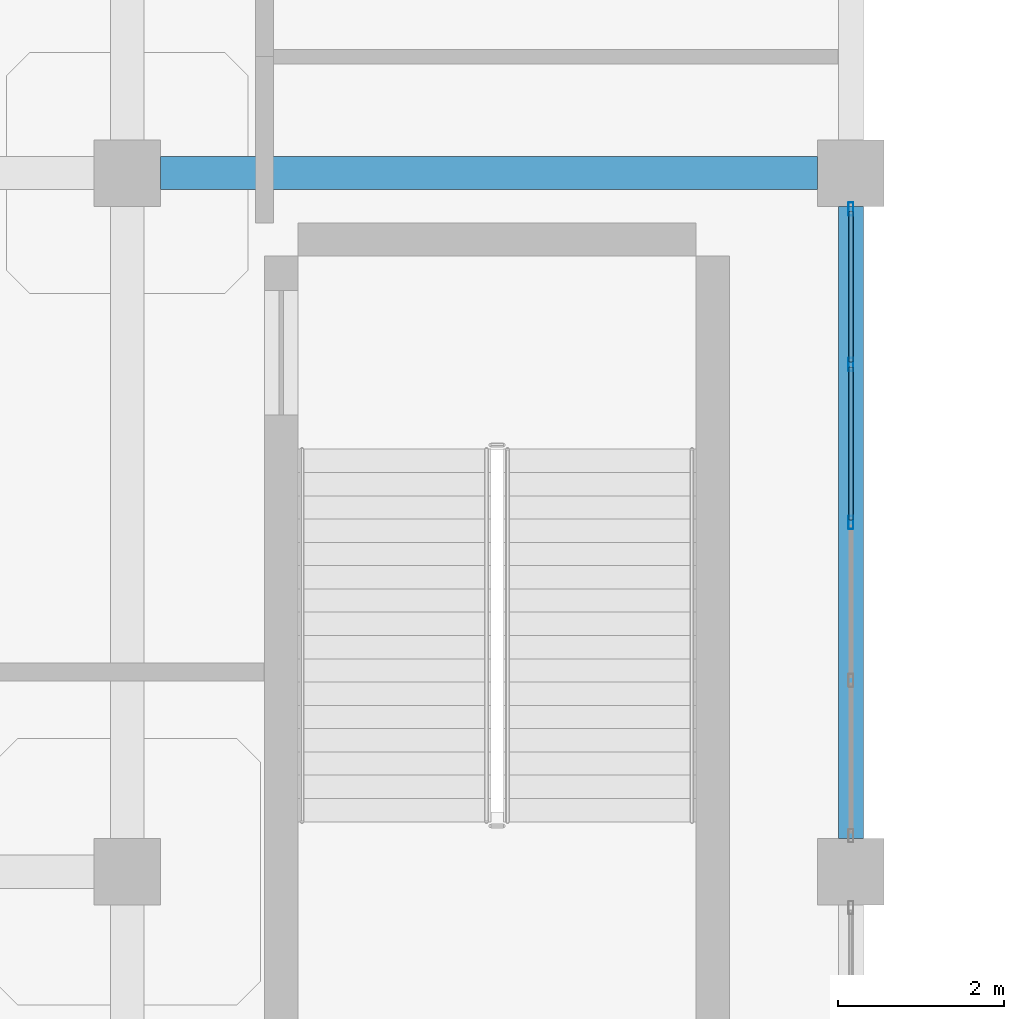
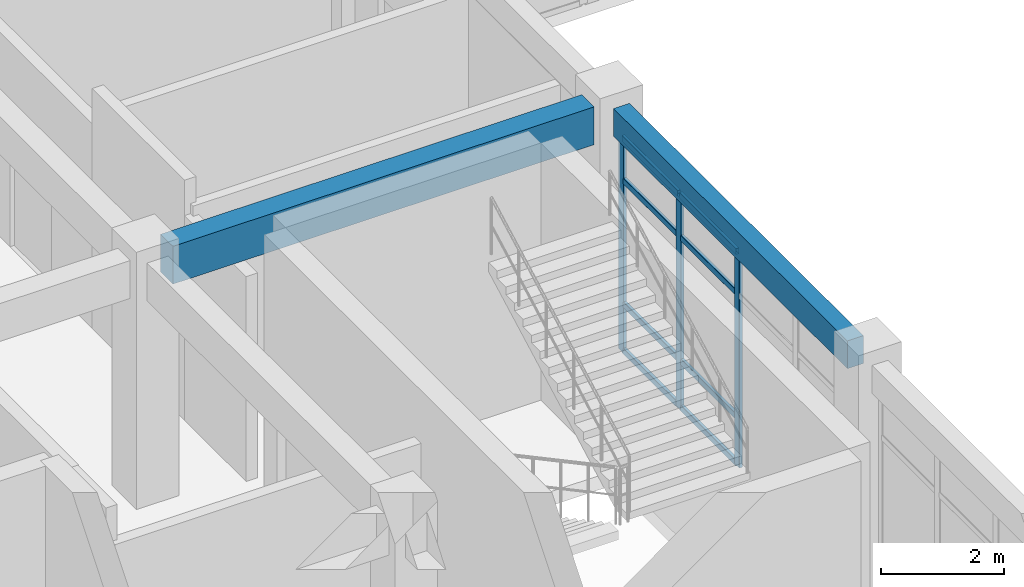
# One storey, part 31 of 96: 11 members, 2 beams, 1 element without a shape of its own.
"""IFC4 building model written with IfcOpenShell, lengths in metres."""

from ifc_helpers import new_model, si_unit, derived_unit, direction, frame, origin, origin_2d, place, context, subcontext, project, spatial, rectangle, hollow_rectangle, extrude, material, layer, layer_set, material_profile, profile_set, type_object, element, aggregate, save


model = new_model("IFC4")

# Units and contexts
model_context = context("Model", 3, precision=1e-05, world=origin(), true_north=direction((0.0, 1.0)))
body_context = subcontext(model_context, "Body", "Model", "MODEL_VIEW")
ifc_project = project(units=[si_unit("LENGTHUNIT", "METRE"), si_unit("AREAUNIT", "SQUARE_METRE"), si_unit("VOLUMEUNIT", "CUBIC_METRE"), si_unit("PLANEANGLEUNIT", "RADIAN"), si_unit("MASSUNIT", "GRAM", prefix="KILO"), derived_unit("THERMALTRANSMITTANCEUNIT", [(si_unit("MASSUNIT", "GRAM", prefix="KILO"), 1), (si_unit("TIMEUNIT", "SECOND"), -3), (si_unit("THERMODYNAMICTEMPERATUREUNIT", "KELVIN"), -1)])], contexts=[model_context])

# Site, building, storey
site_placement = place(None, origin())
site = spatial("IfcSite", under=ifc_project, at=site_placement, CompositionType="ELEMENT")
building_placement = place(site_placement, origin())
building = spatial("IfcBuilding", under=site, at=building_placement, Name="Qinzheling Arcade Emporium", CompositionType="ELEMENT")
storey_placement = place(building_placement, frame((0.0, 0.0, 21.60009765625)))
storey = spatial("IfcBuildingStorey", under=building, at=storey_placement, Name="L05", CompositionType="ELEMENT", Elevation=21.60009765625)

# Curtain wall, members
ifc_material_1 = material(Name="Anodised aluminium and solar-control double glazing", Category="aluminium")
ifc_layer = layer(ifc_material_1, 0.159912109375, Name="Anodised aluminium and solar-control double glazing", Category="aluminium")
ifc_layer_set = layer_set([ifc_layer], Name="Anodised aluminium and solar-control double glazing")
curtain_wall_type = type_object("IfcCurtainWallType", Name="Arcade Portal Glazed Curtain Wall", PredefinedType="NOTDEFINED", material=ifc_layer_set)
curtain_wall_placement = place(storey_placement, origin())
curtain_wall = element("IfcCurtainWall", 1, at=curtain_wall_placement, inside=storey, type_object=curtain_wall_type, Name="Curtain Wall CW-L05-333", PredefinedType="NOTDEFINED")
ifc_material_2 = material(Name="Anodised aluminium 6063-T6", Category="aluminium")
ifc_material_profile_1 = material_profile(ifc_material_2, hollow_rectangle(XDim=0.06005859375, YDim=0.159912109375, WallThickness=0.00390625, InnerFilletRadius=0.00390625, OuterFilletRadius=0.008056640625, at=origin_2d()), Name="RHS 160x60x4", Category="aluminium")
ifc_profile_set_1 = profile_set([ifc_material_profile_1], Name="Anodised aluminium 6063-T6")
member_type_1 = type_object("IfcMemberType", Name="Curtain Wall Mullion RHS160x60", PredefinedType="MULLION", material=ifc_profile_set_1)
member_1_placement = place(storey_placement, frame((69.60009765625, 33.16796875, 0.0), z_axis=(0.0, 0.0, 1.0), x_axis=(1.0, 0.0, 0.0)))
member_1 = element("IfcMember", 2, at=member_1_placement, type_object=member_type_1, Name="CW05 mullion 1", PredefinedType="MULLION", context=body_context, shape_type="SweptSolid", body=[
    extrude(hollow_rectangle(XDim=0.06005859375, YDim=0.159912109375, WallThickness=0.00390625, InnerFilletRadius=0.00390625, OuterFilletRadius=0.008056640625, at=origin_2d()), origin(), (0.0, 0.0, 1.0), 4.2548828125),
])
member_2_placement = place(storey_placement, frame((69.60009765625, 31.299072265625, 0.0), z_axis=(0.0, 0.0, 1.0), x_axis=(1.0, 0.0, 0.0)))
member_2 = element("IfcMember", 3, at=member_2_placement, type_object=member_type_1, Name="CW05 mullion 2", PredefinedType="MULLION", context=body_context, shape_type="SweptSolid", body=[
    extrude(hollow_rectangle(XDim=0.06005859375, YDim=0.159912109375, WallThickness=0.00390625, InnerFilletRadius=0.00390625, OuterFilletRadius=0.008056640625, at=origin_2d()), origin(), (0.0, 0.0, 1.0), 4.2548828125),
])
member_3_placement = place(storey_placement, frame((69.60009765625, 29.39990234375, 0.0), z_axis=(0.0, 0.0, 1.0), x_axis=(1.0, 0.0, 0.0)))
member_3 = element("IfcMember", 4, at=member_3_placement, type_object=member_type_1, Name="CW05 mullion 3", PredefinedType="MULLION", context=body_context, shape_type="SweptSolid", body=[
    extrude(hollow_rectangle(XDim=0.06005859375, YDim=0.159912109375, WallThickness=0.00390625, InnerFilletRadius=0.00390625, OuterFilletRadius=0.008056640625, at=origin_2d()), origin(), (0.0, 0.0, 1.0), 4.2548828125),
])
ifc_material_profile_2 = material_profile(ifc_material_2, hollow_rectangle(XDim=0.06005859375, YDim=0.1201171875, WallThickness=0.00390625, InnerFilletRadius=0.00390625, OuterFilletRadius=0.008056640625, at=origin_2d()), Name="RHS 120x60x4", Category="aluminium")
ifc_profile_set_2 = profile_set([ifc_material_profile_2], Name="Anodised aluminium 6063-T6")
member_type_2 = type_object("IfcMemberType", Name="Curtain Wall Transom RHS120x60", PredefinedType="USERDEFINED", material=ifc_profile_set_2)
member_4_placement = place(storey_placement, frame((69.60009765625, 33.137939453125, 0.02978515625), z_axis=(0.0, -1.0, 0.0), x_axis=(1.0, 0.0, 0.0)))
member_4 = element("IfcMember", 5, at=member_4_placement, type_object=member_type_2, Name="CW05 transom 1.1", ObjectType="TRANSOM", PredefinedType="USERDEFINED", context=body_context, shape_type="SweptSolid", body=[
    extrude(hollow_rectangle(XDim=0.06005859375, YDim=0.1201171875, WallThickness=0.00390625, InnerFilletRadius=0.00390625, OuterFilletRadius=0.008056640625, at=origin_2d()), origin(), (0.0, 0.0, 1.0), 1.808837890625),
])
member_5_placement = place(storey_placement, frame((69.60009765625, 33.137939453125, 0.949951171875), z_axis=(0.0, -1.0, 0.0), x_axis=(1.0, 0.0, 0.0)))
member_5 = element("IfcMember", 6, at=member_5_placement, type_object=member_type_2, Name="CW05 transom 1.2", ObjectType="TRANSOM", PredefinedType="USERDEFINED", context=body_context, shape_type="SweptSolid", body=[
    extrude(hollow_rectangle(XDim=0.06005859375, YDim=0.1201171875, WallThickness=0.00390625, InnerFilletRadius=0.00390625, OuterFilletRadius=0.008056640625, at=origin_2d()), origin(), (0.0, 0.0, 1.0), 1.808837890625),
])
member_6_placement = place(storey_placement, frame((69.60009765625, 33.137939453125, 3.40478515625), z_axis=(0.0, -1.0, 0.0), x_axis=(1.0, 0.0, 0.0)))
member_6 = element("IfcMember", 7, at=member_6_placement, type_object=member_type_2, Name="CW05 transom 1.3", ObjectType="TRANSOM", PredefinedType="USERDEFINED", context=body_context, shape_type="SweptSolid", body=[
    extrude(hollow_rectangle(XDim=0.06005859375, YDim=0.1201171875, WallThickness=0.00390625, InnerFilletRadius=0.00390625, OuterFilletRadius=0.008056640625, at=origin_2d()), origin(), (0.0, 0.0, 1.0), 1.808837890625),
])
member_7_placement = place(storey_placement, frame((69.60009765625, 33.137939453125, 4.224853515625), z_axis=(0.0, -1.0, 0.0), x_axis=(1.0, 0.0, 0.0)))
member_7 = element("IfcMember", 8, at=member_7_placement, type_object=member_type_2, Name="CW05 transom 1.4", ObjectType="TRANSOM", PredefinedType="USERDEFINED", context=body_context, shape_type="SweptSolid", body=[
    extrude(hollow_rectangle(XDim=0.06005859375, YDim=0.1201171875, WallThickness=0.00390625, InnerFilletRadius=0.00390625, OuterFilletRadius=0.008056640625, at=origin_2d()), origin(), (0.0, 0.0, 1.0), 1.808837890625),
])
member_8_placement = place(storey_placement, frame((69.60009765625, 31.26904296875, 0.02978515625), z_axis=(0.0, -1.0, 0.0), x_axis=(1.0, 0.0, 0.0)))
member_8 = element("IfcMember", 9, at=member_8_placement, type_object=member_type_2, Name="CW05 transom 2.1", ObjectType="TRANSOM", PredefinedType="USERDEFINED", context=body_context, shape_type="SweptSolid", body=[
    extrude(hollow_rectangle(XDim=0.06005859375, YDim=0.1201171875, WallThickness=0.00390625, InnerFilletRadius=0.00390625, OuterFilletRadius=0.008056640625, at=origin_2d()), origin(), (0.0, 0.0, 1.0), 1.839111328125),
])
member_9_placement = place(storey_placement, frame((69.60009765625, 31.26904296875, 0.949951171875), z_axis=(0.0, -1.0, 0.0), x_axis=(1.0, 0.0, 0.0)))
member_9 = element("IfcMember", 10, at=member_9_placement, type_object=member_type_2, Name="CW05 transom 2.2", ObjectType="TRANSOM", PredefinedType="USERDEFINED", context=body_context, shape_type="SweptSolid", body=[
    extrude(hollow_rectangle(XDim=0.06005859375, YDim=0.1201171875, WallThickness=0.00390625, InnerFilletRadius=0.00390625, OuterFilletRadius=0.008056640625, at=origin_2d()), origin(), (0.0, 0.0, 1.0), 1.839111328125),
])
member_10_placement = place(storey_placement, frame((69.60009765625, 31.26904296875, 3.40478515625), z_axis=(0.0, -1.0, 0.0), x_axis=(1.0, 0.0, 0.0)))
member_10 = element("IfcMember", 11, at=member_10_placement, type_object=member_type_2, Name="CW05 transom 2.3", ObjectType="TRANSOM", PredefinedType="USERDEFINED", context=body_context, shape_type="SweptSolid", body=[
    extrude(hollow_rectangle(XDim=0.06005859375, YDim=0.1201171875, WallThickness=0.00390625, InnerFilletRadius=0.00390625, OuterFilletRadius=0.008056640625, at=origin_2d()), origin(), (0.0, 0.0, 1.0), 1.839111328125),
])
member_11_placement = place(storey_placement, frame((69.60009765625, 31.26904296875, 4.224853515625), z_axis=(0.0, -1.0, 0.0), x_axis=(1.0, 0.0, 0.0)))
member_11 = element("IfcMember", 12, at=member_11_placement, type_object=member_type_2, Name="CW05 transom 2.4", ObjectType="TRANSOM", PredefinedType="USERDEFINED", context=body_context, shape_type="SweptSolid", body=[
    extrude(hollow_rectangle(XDim=0.06005859375, YDim=0.1201171875, WallThickness=0.00390625, InnerFilletRadius=0.00390625, OuterFilletRadius=0.008056640625, at=origin_2d()), origin(), (0.0, 0.0, 1.0), 1.839111328125),
])
aggregate(curtain_wall, [member_1, member_2, member_3, member_4, member_5, member_6, member_7, member_8, member_9, member_10, member_11])

# Beams
ifc_material_3 = material(Name="Concrete C40", Category="concrete")
ifc_material_profile_3 = material_profile(ifc_material_3, rectangle(XDim=0.39990234375, YDim=0.75, at=origin_2d()), Name="RC 400x750", Category="concrete")
ifc_profile_set_3 = profile_set([ifc_material_profile_3], Name="Concrete C40")
beam_type_1 = type_object("IfcBeamType", Name="RC Interior Tie Beam 400x750 C40", PredefinedType="BEAM", material=ifc_profile_set_3)
beam_1_placement = place(storey_placement, frame((61.300048828125, 33.60009765625, 4.44482421875), z_axis=(1.0, 0.0, 0.0), x_axis=(0.0, 1.0, 0.0)))
element("IfcBeam", 13, at=beam_1_placement, inside=storey, type_object=beam_type_1, Name="Beam BM-L05-X-E-8", PredefinedType="BEAM", context=body_context, shape_type="SweptSolid", body=[
    extrude(rectangle(XDim=0.39990234375, YDim=0.75, at=origin_2d()), origin(), (0.0, 0.0, 1.0), 7.89990234375),
])
ifc_material_profile_4 = material_profile(ifc_material_3, rectangle(XDim=0.300048828125, YDim=0.550048828125, at=origin_2d()), Name="RC 300x550", Category="concrete")
ifc_profile_set_4 = profile_set([ifc_material_profile_4], Name="Concrete C40")
beam_type_2 = type_object("IfcBeamType", Name="RC Terrace Spandrel Beam 300x550 C40", PredefinedType="SPANDREL", material=ifc_profile_set_4)
beam_2_placement = place(storey_placement, frame((69.60009765625, 25.60009765625, 4.544921875), z_axis=(0.0, 1.0, 0.0), x_axis=(-1.0, 0.0, 0.0)))
element("IfcBeam", 14, at=beam_2_placement, inside=storey, type_object=beam_type_2, Name="Beam BM-L05-Y-9-D", PredefinedType="SPANDREL", context=body_context, shape_type="SweptSolid", body=[
    extrude(rectangle(XDim=0.300048828125, YDim=0.550048828125, at=origin_2d()), origin(), (0.0, 0.0, 1.0), 7.599853515625),
])

save(model, "model.ifc")
